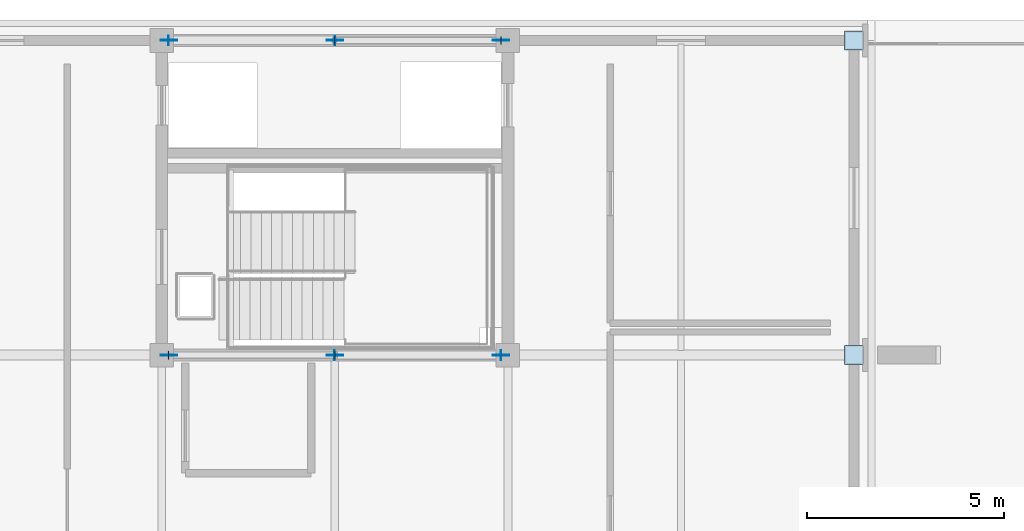
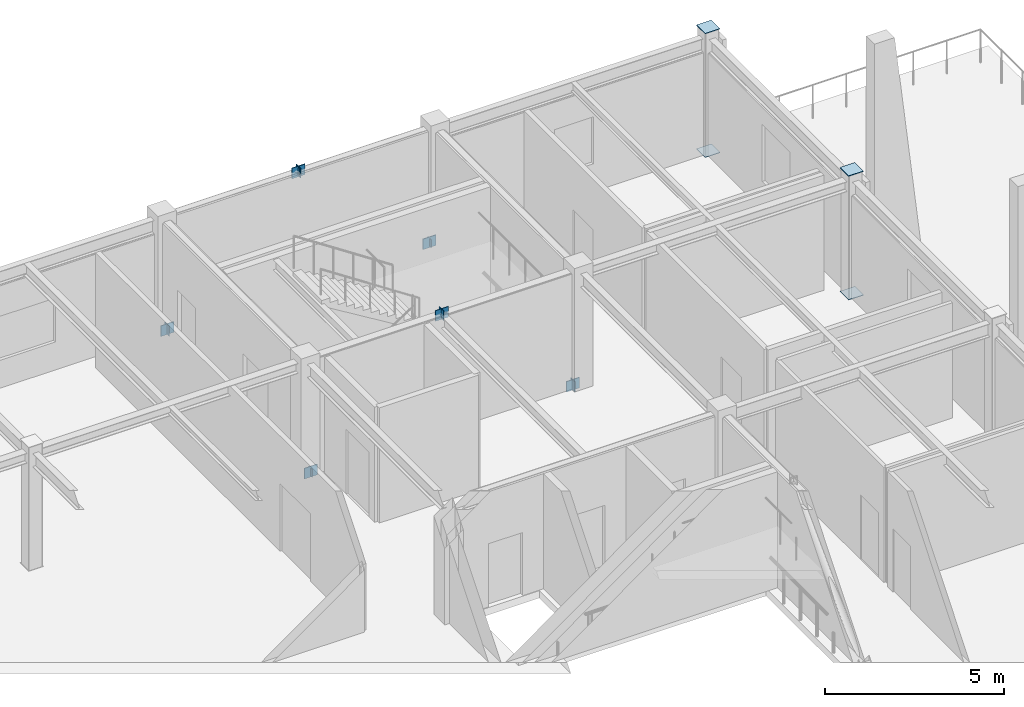
# One storey, part 5 of 13: 18 plates.
"""IFC4 building model written with IfcOpenShell, lengths in metres."""

from ifc_helpers import new_model, si_unit, direction, frame, origin, origin_2d, place, context, subcontext, project, spatial, rectangle, extrude, material, layer, layer_set, type_object, element, save


model = new_model("IFC4")

# Units and contexts
model_context = context("Model", 3, precision=1e-05, world=origin(), true_north=direction((0.0, 1.0)))
body_context = subcontext(model_context, "Body", "Model", "MODEL_VIEW")
ifc_project = project(units=[si_unit("LENGTHUNIT", "METRE"), si_unit("AREAUNIT", "SQUARE_METRE"), si_unit("VOLUMEUNIT", "CUBIC_METRE"), si_unit("PLANEANGLEUNIT", "RADIAN"), si_unit("MASSUNIT", "GRAM", prefix="KILO")], contexts=[model_context])

# Site, building, storey
site_placement = place(None, origin())
site = spatial("IfcSite", under=ifc_project, at=site_placement, CompositionType="ELEMENT")
building_placement = place(site_placement, origin())
building = spatial("IfcBuilding", under=site, at=building_placement, Name="Zhaolan Boulevard Law Courts", CompositionType="ELEMENT")
storey_placement = place(building_placement, frame((0.0, 0.0, 37.199951171875)))
storey = spatial("IfcBuildingStorey", under=building, at=storey_placement, Name="L08", CompositionType="ELEMENT", Elevation=37.199951171875)

# Plates
ifc_material_1 = material(Name="Structural steel Q355B", Category="steel")
ifc_layer_1 = layer(ifc_material_1, 0.02392578125)
ifc_layer_set_1 = layer_set([ifc_layer_1])
plate_type_1 = type_object("IfcPlateType", Name="BRACE GUSSET PLATE 24", PredefinedType="SHEET", material=ifc_layer_set_1)
for number, where, z_axis, x_axis, name in (
    (1, (17.780029296875, 70.0, -0.14990234375), (0.0, 0.0, 1.0), (1.0, 0.0, 0.0), "Brace Gusset Connection Plate GP-W2-L08-NA1"),
    (2, (26.219970703125, 70.0, -0.14990234375), (0.0, 0.0, 1.0), (1.0, 0.0, 0.0), "Brace Gusset Connection Plate GP-W2-L08-NA2"),
    (3, (22.0, 70.0, 3.740234375), (0.0, 0.0, 1.0), (1.0, 0.0, 0.0), "Brace Gusset Connection Plate GP-W2-L08-NAPX"),
    (4, (17.780029296875, 62.0, -0.14990234375), (0.0, 0.0, 1.0), (1.0, 0.0, 0.0), "Brace Gusset Connection Plate GP-W2-L08-SA1"),
    (5, (26.219970703125, 62.0, -0.14990234375), (0.0, 0.0, 1.0), (1.0, 0.0, 0.0), "Brace Gusset Connection Plate GP-W2-L08-SA2"),
    (6, (22.0, 62.0, 3.740234375), (0.0, 0.0, 1.0), (1.0, 0.0, 0.0), "Brace Gusset Connection Plate GP-W2-L08-SAPX"),
):
    element("IfcPlate", number, at=place(storey_placement, frame(where, z_axis=z_axis, x_axis=x_axis)), inside=storey, type_object=plate_type_1, Name=name, PredefinedType="SHEET", context=body_context, shape_type="SweptSolid", body=[
        extrude(rectangle(XDim=0.419921875, YDim=0.02392578125, at=origin_2d()), origin(), (0.0, 0.0, 1.0), 0.360107421875),
    ])
ifc_material_2 = material(Name="Structural steel Q355B", Category="steel")
ifc_layer_2 = layer(ifc_material_2, 0.02001953125)
ifc_layer_set_2 = layer_set([ifc_layer_2])
plate_type_2 = type_object("IfcPlateType", Name="END CAP PLATE 20", PredefinedType="SHEET", material=ifc_layer_set_2)
for number, where, z_axis, x_axis, name in (
    (7, (35.199951171875, 62.0, -0.01806640625), (0.0, 0.0, 1.0), (1.0, 0.0, 0.0), "Hollow Section End-Cap Plate ECP-0461"),
    (8, (35.199951171875, 62.0, 4.197998046875), (0.0, 0.0, 1.0), (1.0, 0.0, 0.0), "Hollow Section End-Cap Plate ECP-0462"),
    (9, (35.199951171875, 70.0, -0.01806640625), (0.0, 0.0, 1.0), (1.0, 0.0, 0.0), "Hollow Section End-Cap Plate ECP-0483"),
    (10, (35.199951171875, 70.0, 4.197998046875), (0.0, 0.0, 1.0), (1.0, 0.0, 0.0), "Hollow Section End-Cap Plate ECP-0484"),
):
    element("IfcPlate", number, at=place(storey_placement, frame(where, z_axis=z_axis, x_axis=x_axis)), inside=storey, type_object=plate_type_2, Name=name, PredefinedType="SHEET", context=body_context, shape_type="SweptSolid", body=[
        extrude(rectangle(XDim=0.47998046875, YDim=0.47998046875, at=origin_2d()), origin(), (0.0, 0.0, 1.0), 0.02001953125),
    ])
for number, where, z_axis, x_axis, name in (
    (11, (17.774169921875, 70.0, -0.14501953125), (0.0, 0.0, 1.0), (1.0, 0.0, 0.0), "Hollow Section End-Cap Plate ECP-1207"),
    (12, (22.005859375, 70.0, 3.755859375), (0.0, 0.0, 1.0), (1.0, 0.0, 0.0), "Hollow Section End-Cap Plate ECP-1208"),
):
    element("IfcPlate", number, at=place(storey_placement, frame(where, z_axis=z_axis, x_axis=x_axis)), inside=storey, type_object=plate_type_2, Name=name, PredefinedType="SHEET", context=body_context, shape_type="SweptSolid", body=[
        extrude(rectangle(XDim=0.02001953125, YDim=0.2490234375, at=origin_2d()), origin(), (0.0, 0.0, 1.0), 0.339111328125),
    ])
for number, where, z_axis, x_axis, name in (
    (13, (26.225830078125, 70.0, -0.10986328125), (0.0, 0.0, 1.0), (-1.0, 0.0, 0.0), "Hollow Section End-Cap Plate ECP-1209"),
    (14, (21.994140625, 70.0, 3.791015625), (0.0, 0.0, 1.0), (-1.0, 0.0, 0.0), "Hollow Section End-Cap Plate ECP-1210"),
    (15, (17.774169921875, 62.0, -0.10986328125), (0.0, 0.0, 1.0), (1.0, 0.0, 0.0), "Hollow Section End-Cap Plate ECP-1211"),
    (16, (22.005859375, 62.0, 3.791015625), (0.0, 0.0, 1.0), (1.0, 0.0, 0.0), "Hollow Section End-Cap Plate ECP-1212"),
):
    element("IfcPlate", number, at=place(storey_placement, frame(where, z_axis=z_axis, x_axis=x_axis)), inside=storey, type_object=plate_type_2, Name=name, PredefinedType="SHEET", context=body_context, shape_type="SweptSolid", body=[
        extrude(rectangle(XDim=0.02001953125, YDim=0.197998046875, at=origin_2d()), origin(), (0.0, 0.0, 1.0), 0.26904296875),
    ])
for number, where, z_axis, x_axis, name in (
    (17, (26.225830078125, 62.0, -0.1455078125), (0.0, 0.0, 1.0), (-1.0, 0.0, 0.0), "Hollow Section End-Cap Plate ECP-1213"),
    (18, (21.994140625, 62.0, 3.75537109375), (0.0, 0.0, 1.0), (-1.0, 0.0, 0.0), "Hollow Section End-Cap Plate ECP-1214"),
):
    element("IfcPlate", number, at=place(storey_placement, frame(where, z_axis=z_axis, x_axis=x_axis)), inside=storey, type_object=plate_type_2, Name=name, PredefinedType="SHEET", context=body_context, shape_type="SweptSolid", body=[
        extrude(rectangle(XDim=0.02001953125, YDim=0.25, at=origin_2d()), origin(), (0.0, 0.0, 1.0), 0.340087890625),
    ])

save(model, "model.ifc")
